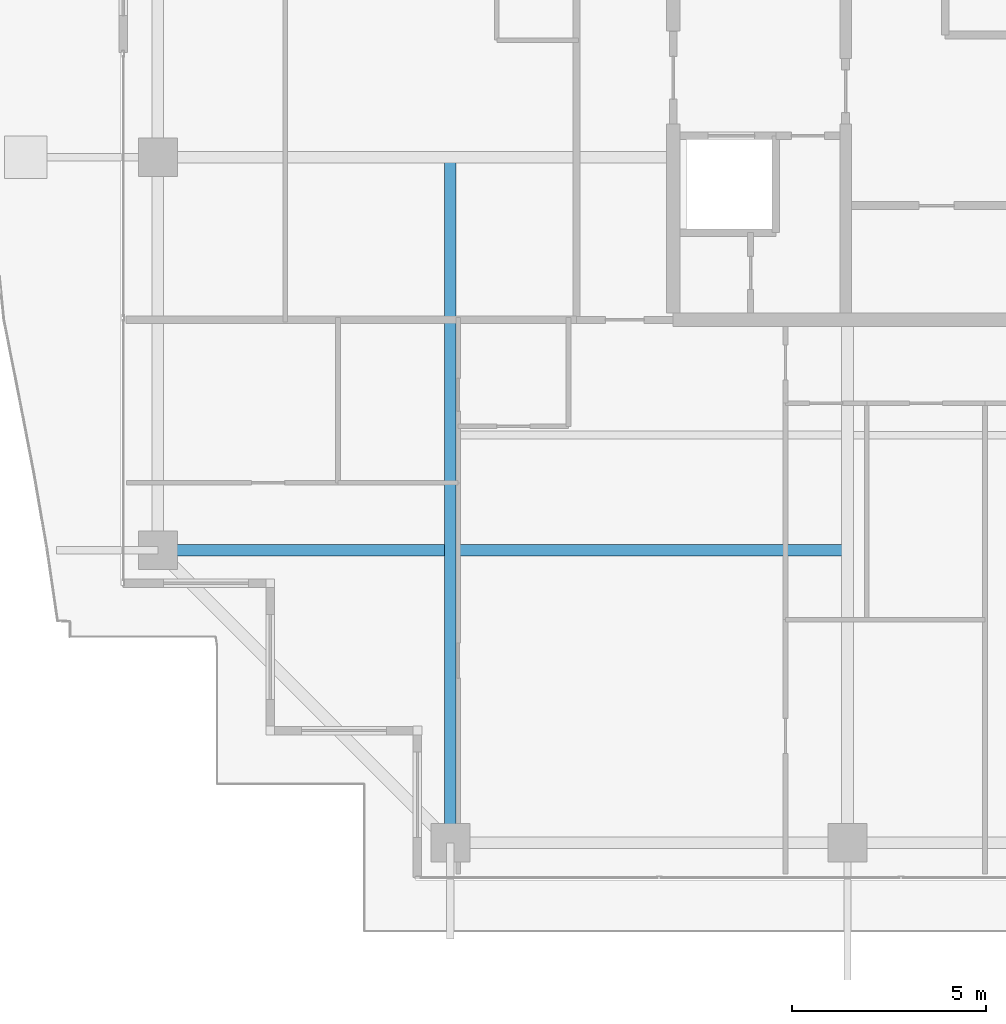
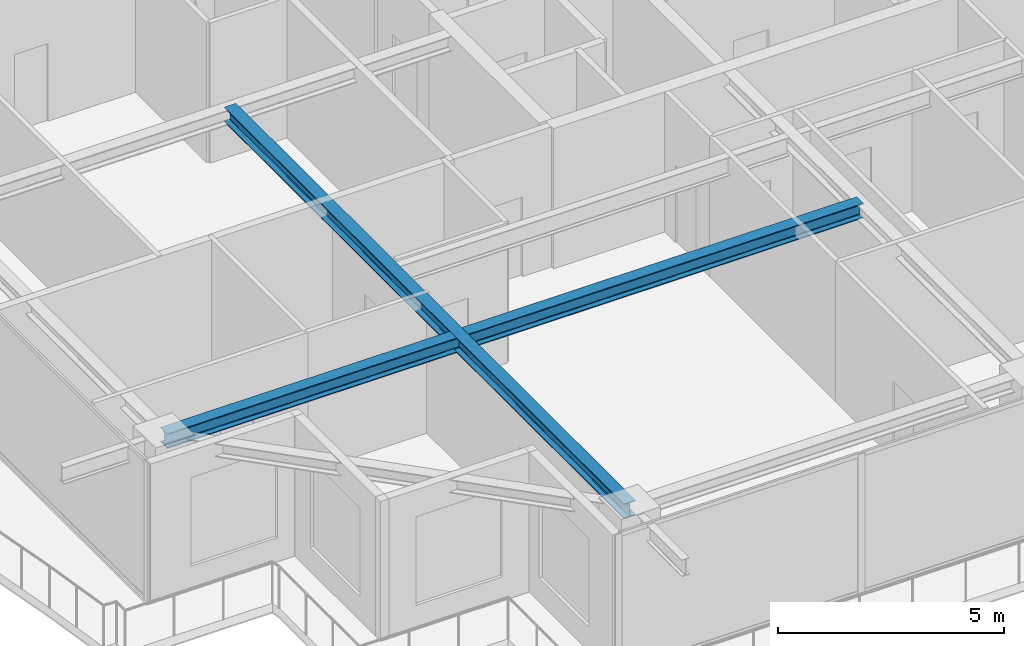
# One storey, part 4 of 37: 2 beams.
"""IFC4 building model written with IfcOpenShell, lengths in metres."""

import ifcopenshell
import ifcopenshell.guid

model = None  # the IFC model being written
_history = None  # IfcOwnerHistory: only IFC2X3 demands one
_inside = {}  # id of a spatial element -> (the spatial element, [elements in it])
_under = {}  # id of a project, library or spatial element -> (it, [spatial elements below it])
_declared = {}  # id of a project -> (the project, [libraries it declares])
_typed = {}  # id of a type object -> (the type object, [elements of that type])
_made_of = {}  # id of a material, layer set ... -> (it, [elements and type objects made of it])


def new_model(schema):
    """Start an empty IFC model of exactly this schema.

    Asked for "IFC4X3", IfcOpenShell would pick the latest addendum, in which some entities
    have other attributes; the version numbers below select the first issue.
    IFC2X3 requires an IfcOwnerHistory on every rooted entity: one is made here for all.
    """
    global model, _history
    if schema == "IFC4X3":
        model = ifcopenshell.file(schema_version=(4, 3, 0, 0))
    else:
        model = ifcopenshell.file(schema=schema)
    _inside.clear()
    _under.clear()
    _declared.clear()
    _typed.clear()
    _made_of.clear()
    _history = None
    if model.schema == "IFC2X3":
        org = make("IfcOrganization", Name="unknown")
        user = make(
            "IfcPersonAndOrganization",
            ThePerson=make("IfcPerson", FamilyName="unknown"),
            TheOrganization=org,
        )
        app = make(
            "IfcApplication",
            ApplicationDeveloper=org,
            Version="unknown",
            ApplicationFullName="unknown",
            ApplicationIdentifier="unknown",
        )
        _history = make(
            "IfcOwnerHistory",
            OwningUser=user,
            OwningApplication=app,
            ChangeAction="ADDED",
            CreationDate=0,
        )
    return model


def make(cls, **values):
    """One entity of the class cls with the attributes given. An attribute that is None is left unset."""
    return model.create_entity(
        cls, **{name: value for name, value in values.items() if value is not None}
    )


def rooted(cls, **values):
    """An entity with a GlobalId (a new one), such as an element, a storey or a relation."""
    return make(cls, GlobalId=ifcopenshell.guid.new(), OwnerHistory=_history, **values)


def si_unit(unit_type, name, prefix=None):
    """IfcSIUnit, for example si_unit("LENGTHUNIT", "METRE", prefix="MILLI")."""
    return make("IfcSIUnit", UnitType=unit_type, Prefix=prefix, Name=name)


def assignment(units):
    """IfcUnitAssignment: the units of a project."""
    return None if units is None else make("IfcUnitAssignment", Units=units)


def point(xyz):
    """IfcCartesianPoint."""
    return None if xyz is None else make("IfcCartesianPoint", Coordinates=xyz)


def direction(xyz):
    """IfcDirection."""
    return None if xyz is None else make("IfcDirection", DirectionRatios=xyz)


def frame(location, z_axis=None, x_axis=None):
    """IfcAxis2Placement3D, a coordinate frame: its origin and axes. An axis left out is left unset."""
    return make(
        "IfcAxis2Placement3D",
        Location=point(location),
        Axis=direction(z_axis),
        RefDirection=direction(x_axis),
    )


def frame_2d(location, x_axis=None):
    """IfcAxis2Placement2D, a coordinate frame in the plane: its origin and x axis."""
    return make(
        "IfcAxis2Placement2D", Location=point(location), RefDirection=direction(x_axis)
    )


def origin():
    """The frame at (0, 0, 0) with its axes left unset."""
    return frame((0.0, 0.0, 0.0))


def origin_2d():
    """The frame at (0, 0) in the plane with its x axis left unset."""
    return frame_2d((0.0, 0.0))


def place(relative_to, where):
    """IfcLocalPlacement: puts the frame where relative to a parent placement (None: the world)."""
    return make(
        "IfcLocalPlacement", PlacementRelTo=relative_to, RelativePlacement=where
    )


def context(
    kind, dimensions, precision=None, world=None, true_north=None, identifier=None
):
    """IfcGeometricRepresentationContext, for example the 3D "Model" context."""
    return make(
        "IfcGeometricRepresentationContext",
        ContextIdentifier=identifier,
        ContextType=kind,
        CoordinateSpaceDimension=dimensions,
        Precision=precision,
        WorldCoordinateSystem=world,
        TrueNorth=true_north,
    )


def subcontext(parent, identifier, kind, view, scale=None):
    """IfcGeometricRepresentationSubContext, for example "Body" below "Model"."""
    return make(
        "IfcGeometricRepresentationSubContext",
        ContextIdentifier=identifier,
        ContextType=kind,
        ParentContext=parent,
        TargetScale=scale,
        TargetView=view,
    )


def project(units=None, contexts=None):
    """IfcProject with its units and contexts."""
    return rooted(
        "IfcProject",
        Name="project",
        RepresentationContexts=contexts,
        UnitsInContext=assignment(units),
    )


def spatial(cls, under=None, at=None, **own):
    """A site, building, storey or space (cls), placed at a placement, below another one or the project."""
    s = rooted(cls, ObjectPlacement=at, **own)
    if under is not None:
        _under.setdefault(under.id(), (under, []))[1].append(s)
    return s


def profile(cls, at=None, kind="AREA", **sizes):
    """A parametric profile (cls). Its sizes go by their IFC names, for example OverallWidth=200.0."""
    return make(cls, ProfileType=kind, Position=at, **sizes)


def i_section(**sizes):
    """IfcIShapeProfileDef."""
    return profile("IfcIShapeProfileDef", **sizes)


def extrude(swept, where, along, depth):
    """IfcExtrudedAreaSolid: the profile swept, set in the frame where, extruded along a direction by depth."""
    return make(
        "IfcExtrudedAreaSolid",
        SweptArea=swept,
        Position=where,
        ExtrudedDirection=direction(along),
        Depth=depth,
    )


def shape(context_of_items, identifier, shape_type, items):
    """IfcShapeRepresentation: the items that make up one representation, for example the "Body"."""
    return make(
        "IfcShapeRepresentation",
        ContextOfItems=context_of_items,
        RepresentationIdentifier=identifier,
        RepresentationType=shape_type,
        Items=items,
    )


def source(mapping_origin, context_of_items, identifier, shape_type, items):
    """IfcRepresentationMap: a shape defined once, which mapped items show again and again."""
    return make(
        "IfcRepresentationMap",
        MappingOrigin=mapping_origin,
        MappedRepresentation=shape(context_of_items, identifier, shape_type, items),
    )


def transform(
    local_origin,
    x_axis=None,
    y_axis=None,
    z_axis=None,
    scale=None,
    scale2=None,
    scale3=None,
    uniform=True,
):
    """IfcCartesianTransformationOperator3D, or its non-uniform kind. x_axis, y_axis, z_axis: its Axis1, 2, 3."""
    if uniform:
        return make(
            "IfcCartesianTransformationOperator3D",
            Axis1=direction(x_axis),
            Axis2=direction(y_axis),
            LocalOrigin=point(local_origin),
            Scale=scale,
            Axis3=direction(z_axis),
        )
    return make(
        "IfcCartesianTransformationOperator3DnonUniform",
        Axis1=direction(x_axis),
        Axis2=direction(y_axis),
        LocalOrigin=point(local_origin),
        Scale=scale,
        Axis3=direction(z_axis),
        Scale2=scale2,
        Scale3=scale3,
    )


def mapped(mapping_source, mapping_target):
    """IfcMappedItem: shows the shape of a source again, moved by a transform."""
    return make(
        "IfcMappedItem", MappingSource=mapping_source, MappingTarget=mapping_target
    )


def material(Name=None, Category=None):
    """IfcMaterial."""
    return make("IfcMaterial", Name=Name, Category=Category)


def material_profile(
    of_material, cross_section, Name=None, Category=None, Priority=None
):
    """IfcMaterialProfile: a cross section and its material."""
    return make(
        "IfcMaterialProfile",
        Name=Name,
        Material=of_material,
        Profile=cross_section,
        Priority=Priority,
        Category=Category,
    )


def profile_set(profiles, Name=None, composite=None):
    """IfcMaterialProfileSet."""
    return make(
        "IfcMaterialProfileSet",
        Name=Name,
        MaterialProfiles=profiles,
        CompositeProfile=composite,
    )


def made_of(thing, what):
    """Note that an element or type object is made of a material, layer set ...; save() writes the relation."""
    if what is not None:
        _made_of.setdefault(what.id(), (what, []))[1].append(thing)
    return thing


def type_object(cls, material=None, **own):
    """A type object (cls), such as IfcWallType, which elements share."""
    return made_of(rooted(cls, **own), material)


def element(
    cls,
    number,
    at=None,
    inside=None,
    cuts=None,
    type_object=None,
    material=None,
    context=None,
    identifier="Body",
    shape_type=None,
    held_by="IfcProductDefinitionShape",
    body=None,
    shapes=None,
    **own,
):
    """One element of the class cls, such as IfcWall. Its Tag is "e" and its number.

    at: its placement. inside: the storey or other place that contains it. cuts: it is an
    opening in that element (IfcRelVoidsElement). A single representation is given by context,
    identifier, shape_type and body (its items); several are given by shapes. held_by: the class
    of the entity that holds the representations. save() writes the other relations.
    """
    e = rooted(cls, Tag="e%d" % number, ObjectPlacement=at, **own)
    if body is not None:
        shapes = [shape(context, identifier, shape_type, body)]
    if shapes is not None:
        e.Representation = make(held_by, Representations=shapes)
    if inside is not None:
        _inside.setdefault(inside.id(), (inside, []))[1].append(e)
    if cuts is not None:
        rooted(
            "IfcRelVoidsElement", RelatingBuildingElement=cuts, RelatedOpeningElement=e
        )
    if type_object is not None:
        _typed.setdefault(type_object.id(), (type_object, []))[1].append(e)
    return made_of(e, material)


def aggregate(whole, parts):
    """IfcRelAggregates: a whole, such as a stair, and the parts it consists of."""
    return rooted("IfcRelAggregates", RelatingObject=whole, RelatedObjects=parts)


def save(model, path):
    """Write the relations noted so far, then the file.

    IfcRelAggregates (storeys below a building ...), IfcRelContainedInSpatialStructure (elements
    in a storey), IfcRelDefinesByType, IfcRelAssociatesMaterial and IfcRelDeclares: one each for
    every whole, place, type object, material and project.
    """
    for whole, parts in _under.values():
        aggregate(whole, parts)
    for where, things in _inside.values():
        rooted(
            "IfcRelContainedInSpatialStructure",
            RelatedElements=things,
            RelatingStructure=where,
        )
    for kind, things in _typed.values():
        rooted("IfcRelDefinesByType", RelatedObjects=things, RelatingType=kind)
    for what, things in _made_of.values():
        rooted("IfcRelAssociatesMaterial", RelatedObjects=things, RelatingMaterial=what)
    for by, libraries in _declared.values():
        rooted("IfcRelDeclares", RelatingContext=by, RelatedDefinitions=libraries)
    model.write(path)


model = new_model("IFC4")

# Units and contexts
model_context = context("Model", 3, precision=1e-05, world=origin(), true_north=direction((0.0, 1.0)))
body_context = subcontext(model_context, "Body", "Model", "MODEL_VIEW")
ifc_project = project(units=[si_unit("LENGTHUNIT", "METRE"), si_unit("AREAUNIT", "SQUARE_METRE"), si_unit("VOLUMEUNIT", "CUBIC_METRE"), si_unit("PLANEANGLEUNIT", "RADIAN"), si_unit("MASSUNIT", "GRAM", prefix="KILO")], contexts=[model_context])

# Site, building, storey
site_placement = place(None, origin())
site = spatial("IfcSite", under=ifc_project, at=site_placement, CompositionType="ELEMENT")
building_placement = place(site_placement, origin())
building = spatial("IfcBuilding", under=site, at=building_placement, Name="Serunith Strait Residences", CompositionType="ELEMENT")
storey_placement = place(building_placement, frame((0.0, 0.0, 317.75)))
storey = spatial("IfcBuildingStorey", under=building, at=storey_placement, Name="L79", CompositionType="ELEMENT", Elevation=317.75)

# Beams
ifc_material = material(Name="Steel S355J2", Category="steel")
ifc_material_profile = material_profile(ifc_material, i_section(OverallWidth=0.300048828125, OverallDepth=0.39990234375, WebThickness=0.013427734375, FlangeThickness=0.02392578125, FilletRadius=0.027099609375, at=origin_2d()), Name="HEB 400")
ifc_profile_set = profile_set([ifc_material_profile], Name="Steel S355J2")
beam_type = type_object("IfcBeamType", Name="BM-HEB400", PredefinedType="BEAM", material=ifc_profile_set)
shared_shape_1 = source(origin(), body_context, "Body", "SweptSolid", [
    extrude(i_section(OverallWidth=0.300048828125, OverallDepth=0.39990234375, WebThickness=0.013427734375, FlangeThickness=0.02392578125, FilletRadius=0.027099609375, at=origin_2d()), origin(), (0.0, 0.0, 1.0), 17.699951171875),
])
beam_1_placement = place(storey_placement, frame((17.64990234375, 21.0, 3.5869140625), z_axis=(0.0, -1.0, 0.0), x_axis=(1.0, 0.0, 0.0)))
element("IfcBeam", 1, at=beam_1_placement, inside=storey, type_object=beam_type, Name="L79 Orthogonal Corner Girder TC-S1", PredefinedType="BEAM", context=body_context, shape_type="MappedRepresentation", body=[
    mapped(shared_shape_1, transform((0.0, 0.0, 0.0), scale=1.0)),
])
shared_shape_2 = source(origin(), body_context, "Body", "SweptSolid", [
    extrude(i_section(OverallWidth=0.300048828125, OverallDepth=0.39990234375, WebThickness=0.013427734375, FlangeThickness=0.02392578125, FilletRadius=0.027099609375, at=origin_2d()), origin(), (0.0, 0.0, 1.0), 17.7998046875),
])
beam_2_placement = place(storey_placement, frame((27.89990234375, 10.85009765625, 3.5869140625), z_axis=(-1.0, 0.0, 0.0), x_axis=(0.0, -1.0, 0.0)))
element("IfcBeam", 2, at=beam_2_placement, inside=storey, type_object=beam_type, Name="L79 Orthogonal Corner Girder TC-W1", PredefinedType="BEAM", context=body_context, shape_type="MappedRepresentation", body=[
    mapped(shared_shape_2, transform((0.0, 0.0, 0.0), scale=1.0)),
])

save(model, "model.ifc")
